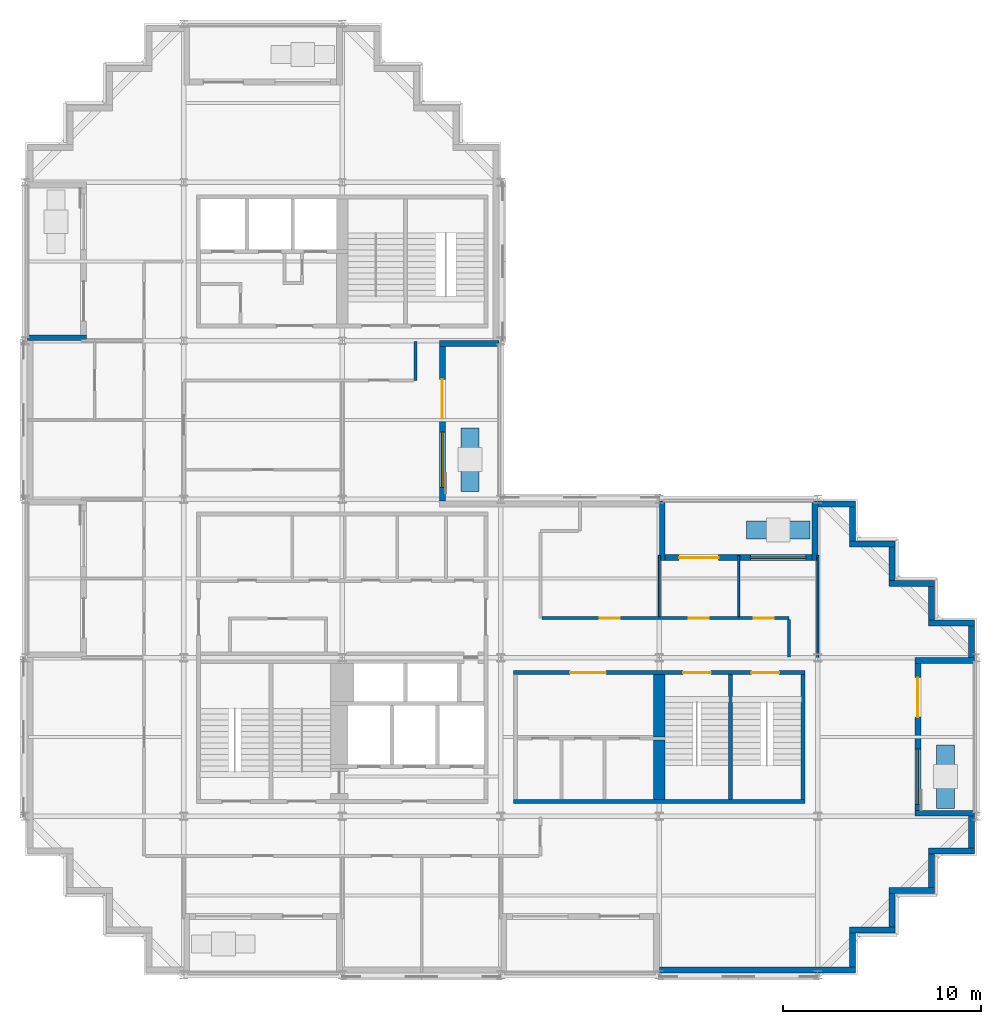
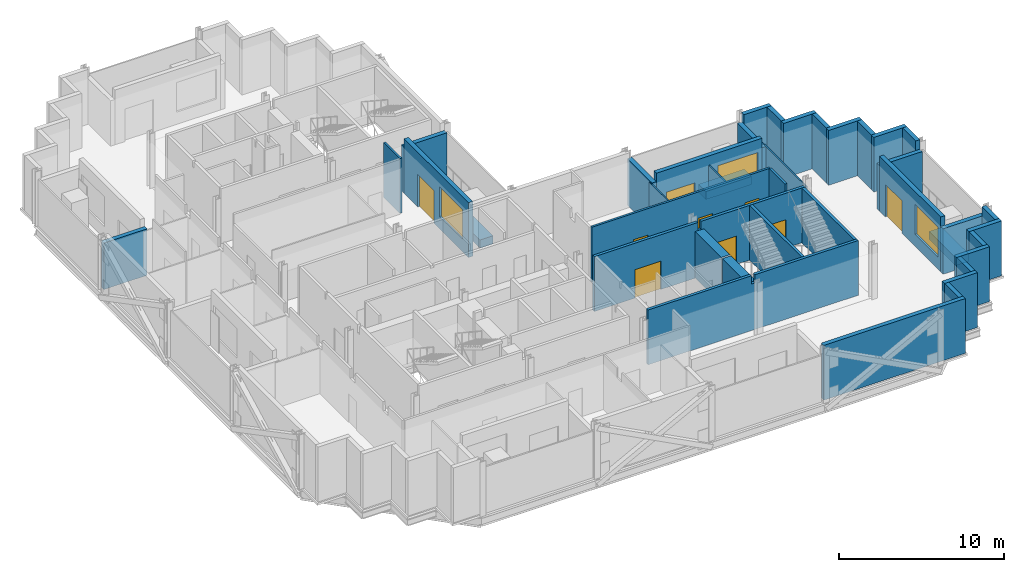
# One storey, part 7 of 12: 40 walls, 9 doors, 3 windows, 12 openings.
"""IFC4 building model written with IfcOpenShell, lengths in metres."""

from ifc_helpers import new_model, si_unit, direction, frame, frame_2d, origin, place, context, subcontext, project, spatial, polyline, rectangle, outline, extrude, material, layer, layer_set, type_object, element, fill, save


model = new_model("IFC4")

# Units and contexts
model_context = context("Model", 3, precision=1e-05, world=origin(), true_north=direction((0.0, 1.0)))
body_context = subcontext(model_context, "Body", "Model", "MODEL_VIEW")
ifc_project = project(units=[si_unit("LENGTHUNIT", "METRE"), si_unit("AREAUNIT", "SQUARE_METRE"), si_unit("VOLUMEUNIT", "CUBIC_METRE"), si_unit("PLANEANGLEUNIT", "RADIAN"), si_unit("MASSUNIT", "GRAM", prefix="KILO")], contexts=[model_context])

# Site, building, storey
site_placement = place(None, origin())
site = spatial("IfcSite", under=ifc_project, at=site_placement, CompositionType="ELEMENT")
building_placement = place(site_placement, origin())
building = spatial("IfcBuilding", under=site, at=building_placement, Name="Immortelle Media Tower", CompositionType="ELEMENT")
storey_placement = place(building_placement, frame((0.0, 0.0, 153.60009765625)))
storey = spatial("IfcBuildingStorey", under=building, at=storey_placement, Name="L31", CompositionType="ELEMENT", Elevation=153.60009765625)

# Wall
ifc_material_1 = material(Name="Fire-rated gypsum board", Category="gypsum")
ifc_layer_1 = layer(ifc_material_1, 0.012451171875)
ifc_material_2 = material(Name="Steel ASTM A653 SS Gr 50 stud frame with mineral wool", Category="steel")
ifc_layer_2 = layer(ifc_material_2, 0.125)
ifc_layer_3 = layer(ifc_material_1, 0.012451171875)
ifc_layer_set_1 = layer_set([ifc_layer_1, ifc_layer_2, ifc_layer_3], Name="Steel ASTM A653 SS Gr 50 stud frame with mineral wool")
wall_type_1 = type_object("IfcWallType", Name="Corridor wall 150", PredefinedType="PARTITIONING", material=ifc_layer_set_1)
wall_1_placement = place(storey_placement, frame((38.550048828125, 16.030029296875, 0.0), z_axis=(0.0, 0.0, 1.0), x_axis=(0.0, 1.0, 0.0)))
element("IfcWall", 1, at=wall_1_placement, inside=storey, type_object=wall_type_1, Name="Partition L31-009", PredefinedType="PARTITIONING", context=body_context, shape_type="SweptSolid", body=[
    extrude(rectangle(XDim=1.89501953125, YDim=0.14990234375, at=frame_2d((0.947509765625, 0.0))), origin(), (0.0, 0.0, 1.0), 4.0498046875),
])

# Wall, openings, doors
wall_2_placement = place(storey_placement, frame((26.074951171875, 18.0, 0.0), z_axis=(0.0, 0.0, 1.0), x_axis=(1.0, 0.0, 0.0)))
wall_2 = element("IfcWall", 2, at=wall_2_placement, inside=storey, type_object=wall_type_1, Name="Partition L31-011", PredefinedType="PARTITIONING", context=body_context, shape_type="SweptSolid", body=[
    extrude(rectangle(XDim=12.47509765625, YDim=0.14990234375, at=frame_2d((6.237548828125, 0.0))), origin(), (0.0, 0.0, 1.0), 4.0498046875),
])
opening_1_placement = place(wall_2_placement, frame((7.425048828125, 0.0, 0.0)))
opening_1 = element("IfcOpeningElement", 3, at=opening_1_placement, cuts=wall_2, Name="Opening C3-F006", PredefinedType="OPENING", context=body_context, shape_type="SweptSolid", body=[
    extrude(rectangle(XDim=1.0, YDim=2.10009765625, at=frame_2d((0.5, 1.050048828125))), frame((0.0, 0.0849609375, 0.0), z_axis=(0.0, -1.0, 0.0), x_axis=(1.0, 0.0, 0.0)), (0.0, 0.0, 1.0), 0.169921875),
])
opening_2_placement = place(wall_2_placement, frame((10.699951171875, 0.0, 0.0)))
opening_2 = element("IfcOpeningElement", 4, at=opening_2_placement, cuts=wall_2, Name="Opening C3-F007", PredefinedType="OPENING", context=body_context, shape_type="SweptSolid", body=[
    extrude(rectangle(XDim=1.0, YDim=2.10009765625, at=frame_2d((0.5, 1.050048828125))), frame((0.0, 0.0849609375, 0.0), z_axis=(0.0, -1.0, 0.0), x_axis=(1.0, 0.0, 0.0)), (0.0, 0.0, 1.0), 0.169921875),
])
opening_3_placement = place(wall_2_placement, frame((2.925048828125, 0.0, 0.0)))
opening_3 = element("IfcOpeningElement", 5, at=opening_3_placement, cuts=wall_2, Name="Opening C3-F010", PredefinedType="OPENING", context=body_context, shape_type="SweptSolid", body=[
    extrude(rectangle(XDim=1.0, YDim=2.10009765625, at=frame_2d((0.5, 1.050048828125))), frame((0.0, 0.0849609375, 0.0), z_axis=(0.0, -1.0, 0.0), x_axis=(1.0, 0.0, 0.0)), (0.0, 0.0, 1.0), 0.169921875),
])
ifc_material_3 = material(Name="Timber veneered door leaf, galvanised steel frame ASTM A653", Category="steel")
door_type_1 = type_object("IfcDoorType", Name="Room door 1000 x 2100", OperationType="NOTDEFINED", PredefinedType="DOOR", material=ifc_material_3)
door_1_placement = place(opening_1_placement, origin())
door_1 = element("IfcDoor", 6, at=door_1_placement, inside=storey, type_object=door_type_1, Name="Door C3-F006", OperationType="SINGLE_SWING_LEFT", OverallHeight=2.10009765625, OverallWidth=1.0, PredefinedType="DOOR", context=body_context, shape_type="SweptSolid", body=[
    extrude(rectangle(XDim=1.0, YDim=2.10009765625, at=frame_2d((0.5, 1.050048828125))), frame((0.0, 0.02490234375, 0.0), z_axis=(0.0, -1.0, 0.0), x_axis=(1.0, 0.0, 0.0)), (0.0, 0.0, 1.0), 0.050048828125),
])
fill(opening_1, door_1)
door_2_placement = place(opening_2_placement, origin())
door_2 = element("IfcDoor", 7, at=door_2_placement, inside=storey, type_object=door_type_1, Name="Door C3-F007", OperationType="SINGLE_SWING_LEFT", OverallHeight=2.10009765625, OverallWidth=1.0, PredefinedType="DOOR", context=body_context, shape_type="SweptSolid", body=[
    extrude(rectangle(XDim=1.0, YDim=2.10009765625, at=frame_2d((0.5, 1.050048828125))), frame((0.0, 0.02490234375, 0.0), z_axis=(0.0, -1.0, 0.0), x_axis=(1.0, 0.0, 0.0)), (0.0, 0.0, 1.0), 0.050048828125),
])
fill(opening_2, door_2)
door_3_placement = place(opening_3_placement, origin())
door_3 = element("IfcDoor", 8, at=door_3_placement, inside=storey, type_object=door_type_1, Name="Door C3-F010", OperationType="SINGLE_SWING_RIGHT", OverallHeight=2.10009765625, OverallWidth=1.0, PredefinedType="DOOR", context=body_context, shape_type="SweptSolid", body=[
    extrude(rectangle(XDim=1.0, YDim=2.10009765625, at=frame_2d((0.5, 1.050048828125))), frame((0.0, 0.02490234375, 0.0), z_axis=(0.0, -1.0, 0.0), x_axis=(1.0, 0.0, 0.0)), (0.0, 0.0, 1.0), 0.050048828125),
])
fill(opening_3, door_3)

# Walls
wall_3_placement = place(storey_placement, frame((19.699951171875, 30.0, 0.0), z_axis=(0.0, 0.0, 1.0), x_axis=(0.0, 1.0, 0.0)))
element("IfcWall", 9, at=wall_3_placement, inside=storey, type_object=wall_type_1, Name="Partition L31-027", PredefinedType="PARTITIONING", context=body_context, shape_type="SweptSolid", body=[
    extrude(rectangle(XDim=1.969970703125, YDim=0.14990234375, at=frame_2d((0.98486328125, 0.0))), origin(), (0.0, 0.0, 1.0), 4.0498046875),
])
ifc_material_4 = material(Name="Pale aluminium cladding panel", Category="aluminium")
ifc_layer_4 = layer(ifc_material_4, 0.030029296875)
ifc_layer_5 = layer(ifc_material_2, 0.257568359375)
ifc_material_5 = material(Name="Moisture-resistant gypsum board", Category="gypsum")
ifc_layer_6 = layer(ifc_material_5, 0.012451171875)
ifc_layer_set_2 = layer_set([ifc_layer_4, ifc_layer_5, ifc_layer_6], Name="Steel ASTM A653 SS Gr 50 stud frame with mineral wool")
wall_type_2 = type_object("IfcWallType", Name="Facade wall 300", PredefinedType="SOLIDWALL", material=ifc_layer_set_2)
wall_4_placement = place(storey_placement, frame((32.0, 0.25, 0.0), z_axis=(0.0, 0.0, 1.0), x_axis=(1.0, 0.0, 0.0)))
element("IfcWall", 10, at=wall_4_placement, inside=storey, type_object=wall_type_2, Name="Facade wall L31 S6", PredefinedType="SOLIDWALL", context=body_context, shape_type="SweptSolid", body=[
    extrude(rectangle(XDim=9.89990234375, YDim=0.300048828125, at=frame_2d((4.949951171875, 0.0))), origin(), (0.0, 0.0, 1.0), 4.0498046875),
])
wall_5_placement = place(storey_placement, frame((41.75, 0.39990234375, 0.0), z_axis=(0.0, 0.0, 1.0), x_axis=(0.0, 1.0, 0.0)))
element("IfcWall", 11, at=wall_5_placement, inside=storey, type_object=wall_type_2, Name="Facade wall L31 E7", PredefinedType="SOLIDWALL", context=body_context, shape_type="SweptSolid", body=[
    extrude(rectangle(XDim=1.7001953125, YDim=0.300048828125, at=frame_2d((0.85009765625, 0.0))), origin(), (0.0, 0.0, 1.0), 4.0498046875),
])
wall_6_placement = place(storey_placement, frame((41.60009765625, 2.25, 0.0), z_axis=(0.0, 0.0, 1.0), x_axis=(1.0, 0.0, 0.0)))
element("IfcWall", 12, at=wall_6_placement, inside=storey, type_object=wall_type_2, Name="Facade wall L31 S8", PredefinedType="SOLIDWALL", context=body_context, shape_type="SweptSolid", body=[
    extrude(rectangle(XDim=2.2998046875, YDim=0.300048828125, at=frame_2d((1.14990234375, 0.0))), origin(), (0.0, 0.0, 1.0), 4.0498046875),
])
wall_7_placement = place(storey_placement, frame((43.75, 2.39990234375, 0.0), z_axis=(0.0, 0.0, 1.0), x_axis=(0.0, 1.0, 0.0)))
element("IfcWall", 13, at=wall_7_placement, inside=storey, type_object=wall_type_2, Name="Facade wall L31 E9", PredefinedType="SOLIDWALL", context=body_context, shape_type="SweptSolid", body=[
    extrude(rectangle(XDim=1.7001953125, YDim=0.300048828125, at=frame_2d((0.85009765625, 0.0))), origin(), (0.0, 0.0, 1.0), 4.0498046875),
])
wall_8_placement = place(storey_placement, frame((43.60009765625, 4.25, 0.0), z_axis=(0.0, 0.0, 1.0), x_axis=(1.0, 0.0, 0.0)))
element("IfcWall", 14, at=wall_8_placement, inside=storey, type_object=wall_type_2, Name="Facade wall L31 S10", PredefinedType="SOLIDWALL", context=body_context, shape_type="SweptSolid", body=[
    extrude(rectangle(XDim=2.2998046875, YDim=0.300048828125, at=frame_2d((1.14990234375, 0.0))), origin(), (0.0, 0.0, 1.0), 4.0498046875),
])
wall_9_placement = place(storey_placement, frame((45.75, 4.39990234375, 0.0), z_axis=(0.0, 0.0, 1.0), x_axis=(0.0, 1.0, 0.0)))
element("IfcWall", 15, at=wall_9_placement, inside=storey, type_object=wall_type_2, Name="Facade wall L31 E11", PredefinedType="SOLIDWALL", context=body_context, shape_type="SweptSolid", body=[
    extrude(rectangle(XDim=1.7001953125, YDim=0.300048828125, at=frame_2d((0.85009765625, 0.0))), origin(), (0.0, 0.0, 1.0), 4.0498046875),
])
wall_10_placement = place(storey_placement, frame((45.60009765625, 6.25, 0.0), z_axis=(0.0, 0.0, 1.0), x_axis=(1.0, 0.0, 0.0)))
element("IfcWall", 16, at=wall_10_placement, inside=storey, type_object=wall_type_2, Name="Facade wall L31 S12", PredefinedType="SOLIDWALL", context=body_context, shape_type="SweptSolid", body=[
    extrude(rectangle(XDim=2.2998046875, YDim=0.300048828125, at=frame_2d((1.14990234375, 0.0))), origin(), (0.0, 0.0, 1.0), 4.0498046875),
])
wall_11_placement = place(storey_placement, frame((47.75, 6.39990234375, 0.0), z_axis=(0.0, 0.0, 1.0), x_axis=(0.0, 1.0, 0.0)))
element("IfcWall", 17, at=wall_11_placement, inside=storey, type_object=wall_type_2, Name="Facade wall L31 E13", PredefinedType="SOLIDWALL", context=body_context, shape_type="SweptSolid", body=[
    extrude(rectangle(XDim=1.60009765625, YDim=0.300048828125, at=frame_2d((0.800048828125, 0.0))), origin(), (0.0, 0.0, 1.0), 4.0498046875),
])

# Wall, openings, door, window
wall_12_placement = place(storey_placement, frame((45.050048828125, 8.300048828125, 0.0), z_axis=(0.0, 0.0, 1.0), x_axis=(0.0, 1.0, 0.0)))
wall_12 = element("IfcWall", 18, at=wall_12_placement, inside=storey, type_object=wall_type_2, Name="Loggia wall L31 E13", PredefinedType="SOLIDWALL", context=body_context, shape_type="SweptSolid", body=[
    extrude(rectangle(XDim=7.39990234375, YDim=0.300048828125, at=frame_2d((3.699951171875, 0.0))), origin(), (0.0, 0.0, 1.0), 4.0498046875),
])
opening_4_placement = place(wall_12_placement, frame((0.300048828125, 0.0, 0.89990234375)))
opening_4 = element("IfcOpeningElement", 19, at=opening_4_placement, cuts=wall_12, Name="Opening W1", PredefinedType="OPENING", context=body_context, shape_type="SweptSolid", body=[
    extrude(rectangle(XDim=2.800048828125, YDim=2.199951171875, at=frame_2d((1.39990234375, 1.10009765625))), frame((0.0, 0.159912109375, 0.0), z_axis=(0.0, -1.0, 0.0), x_axis=(1.0, 0.0, 0.0)), (0.0, 0.0, 1.0), 0.320068359375),
])
opening_5_placement = place(wall_12_placement, frame((4.699951171875, 0.0, 0.0)))
opening_5 = element("IfcOpeningElement", 20, at=opening_5_placement, cuts=wall_12, Name="Opening C3-E003", PredefinedType="OPENING", context=body_context, shape_type="SweptSolid", body=[
    extrude(rectangle(XDim=2.0, YDim=2.39990234375, at=frame_2d((1.0, 1.199951171875))), frame((0.0, 0.159912109375, 0.0), z_axis=(0.0, -1.0, 0.0), x_axis=(1.0, 0.0, 0.0)), (0.0, 0.0, 1.0), 0.320068359375),
])
ifc_material_6 = material(Name="Aluminium frame, glazed leaves", Category="aluminium")
door_type_2 = type_object("IfcDoorType", Name="Loggia door 2000 x 2400", OperationType="DOUBLE_DOOR_SINGLE_SWING", PredefinedType="DOOR", material=ifc_material_6)
door_4_placement = place(opening_5_placement, origin())
door_4 = element("IfcDoor", 21, at=door_4_placement, inside=storey, type_object=door_type_2, Name="Door C3-E003", OperationType="DOUBLE_DOOR_SINGLE_SWING", OverallHeight=2.39990234375, OverallWidth=2.0, PredefinedType="DOOR", context=body_context, shape_type="SweptSolid", body=[
    extrude(rectangle(XDim=2.0, YDim=2.39990234375, at=frame_2d((1.0, 1.199951171875))), frame((0.0, 0.02490234375, 0.0), z_axis=(0.0, -1.0, 0.0), x_axis=(1.0, 0.0, 0.0)), (0.0, 0.0, 1.0), 0.050048828125),
])
fill(opening_5, door_4)
ifc_material_7 = material(Name="Aluminium frame", Category="aluminium")
window_type = type_object("IfcWindowType", Name="Window 2800 x 2200", PartitioningType="SINGLE_PANEL", PredefinedType="WINDOW", material=ifc_material_7)
window_1_placement = place(opening_4_placement, origin())
window_1 = element("IfcWindow", 22, at=window_1_placement, inside=storey, type_object=window_type, Name="Window L31 L31-R13-B0", OverallHeight=2.199951171875, OverallWidth=2.800048828125, PartitioningType="SINGLE_PANEL", PredefinedType="WINDOW", context=body_context, shape_type="SweptSolid", body=[
    extrude(rectangle(XDim=2.800048828125, YDim=2.199951171875, at=frame_2d((1.39990234375, 1.10009765625))), frame((0.0, 0.030029296875, 0.0), z_axis=(0.0, -1.0, 0.0), x_axis=(1.0, 0.0, 0.0)), (0.0, 0.0, 1.0), 0.06005859375),
])
fill(opening_4, window_1)

# Walls
for number, where, z_axis, x_axis, name in (
    (23, (47.89990234375, 8.14990234375, 0.0), (0.0, 0.0, 1.0), (-1.0, 0.0, 0.0), "Loggia cheek wall L31 E"),
    (24, (47.89990234375, 15.85009765625, 0.0), (0.0, 0.0, 1.0), (-1.0, 0.0, 0.0), "Loggia cheek wall L31 E"),
):
    element("IfcWall", number, at=place(storey_placement, frame(where, z_axis=z_axis, x_axis=x_axis)), inside=storey, type_object=wall_type_2, Name=name, PredefinedType="SOLIDWALL", context=body_context, shape_type="SweptSolid", body=[
        extrude(rectangle(XDim=3.0, YDim=0.300048828125, at=frame_2d((1.5, 0.0))), origin(), (0.0, 0.0, 1.0), 3.352783203125),
    ])
wall_13_placement = place(storey_placement, frame((47.75, 16.0, 0.0), z_axis=(0.0, 0.0, 1.0), x_axis=(0.0, 1.0, 0.0)))
element("IfcWall", 25, at=wall_13_placement, inside=storey, type_object=wall_type_2, Name="Facade wall L31 E13", PredefinedType="SOLIDWALL", context=body_context, shape_type="SweptSolid", body=[
    extrude(rectangle(XDim=1.60009765625, YDim=0.300048828125, at=frame_2d((0.800048828125, 0.0))), origin(), (0.0, 0.0, 1.0), 4.0498046875),
])
wall_14_placement = place(storey_placement, frame((47.89990234375, 17.75, 0.0), z_axis=(0.0, 0.0, 1.0), x_axis=(-1.0, 0.0, 0.0)))
element("IfcWall", 26, at=wall_14_placement, inside=storey, type_object=wall_type_2, Name="Facade wall L31 N14", PredefinedType="SOLIDWALL", context=body_context, shape_type="SweptSolid", body=[
    extrude(rectangle(XDim=2.2998046875, YDim=0.300048828125, at=frame_2d((1.14990234375, 0.0))), origin(), (0.0, 0.0, 1.0), 4.0498046875),
])
wall_15_placement = place(storey_placement, frame((45.75, 17.89990234375, 0.0), z_axis=(0.0, 0.0, 1.0), x_axis=(0.0, 1.0, 0.0)))
element("IfcWall", 27, at=wall_15_placement, inside=storey, type_object=wall_type_2, Name="Facade wall L31 E15", PredefinedType="SOLIDWALL", context=body_context, shape_type="SweptSolid", body=[
    extrude(rectangle(XDim=1.7001953125, YDim=0.300048828125, at=frame_2d((0.85009765625, 0.0))), origin(), (0.0, 0.0, 1.0), 4.0498046875),
])
wall_16_placement = place(storey_placement, frame((45.89990234375, 19.75, 0.0), z_axis=(0.0, 0.0, 1.0), x_axis=(-1.0, 0.0, 0.0)))
element("IfcWall", 28, at=wall_16_placement, inside=storey, type_object=wall_type_2, Name="Facade wall L31 N16", PredefinedType="SOLIDWALL", context=body_context, shape_type="SweptSolid", body=[
    extrude(rectangle(XDim=2.2998046875, YDim=0.300048828125, at=frame_2d((1.14990234375, 0.0))), origin(), (0.0, 0.0, 1.0), 4.0498046875),
])
wall_17_placement = place(storey_placement, frame((43.75, 19.89990234375, 0.0), z_axis=(0.0, 0.0, 1.0), x_axis=(0.0, 1.0, 0.0)))
element("IfcWall", 29, at=wall_17_placement, inside=storey, type_object=wall_type_2, Name="Facade wall L31 E17", PredefinedType="SOLIDWALL", context=body_context, shape_type="SweptSolid", body=[
    extrude(rectangle(XDim=1.7001953125, YDim=0.300048828125, at=frame_2d((0.85009765625, 0.0))), origin(), (0.0, 0.0, 1.0), 4.0498046875),
])
wall_18_placement = place(storey_placement, frame((43.89990234375, 21.75, 0.0), z_axis=(0.0, 0.0, 1.0), x_axis=(-1.0, 0.0, 0.0)))
element("IfcWall", 30, at=wall_18_placement, inside=storey, type_object=wall_type_2, Name="Facade wall L31 N18", PredefinedType="SOLIDWALL", context=body_context, shape_type="SweptSolid", body=[
    extrude(rectangle(XDim=2.2998046875, YDim=0.300048828125, at=frame_2d((1.14990234375, 0.0))), origin(), (0.0, 0.0, 1.0), 4.0498046875),
])
wall_19_placement = place(storey_placement, frame((41.75, 21.89990234375, 0.0), z_axis=(0.0, 0.0, 1.0), x_axis=(0.0, 1.0, 0.0)))
element("IfcWall", 31, at=wall_19_placement, inside=storey, type_object=wall_type_2, Name="Facade wall L31 E19", PredefinedType="SOLIDWALL", context=body_context, shape_type="SweptSolid", body=[
    extrude(rectangle(XDim=1.7001953125, YDim=0.300048828125, at=frame_2d((0.85009765625, 0.0))), origin(), (0.0, 0.0, 1.0), 4.0498046875),
])
wall_20_placement = place(storey_placement, frame((41.89990234375, 23.75, 0.0), z_axis=(0.0, 0.0, 1.0), x_axis=(-1.0, 0.0, 0.0)))
element("IfcWall", 32, at=wall_20_placement, inside=storey, type_object=wall_type_2, Name="Facade wall L31 N20", PredefinedType="SOLIDWALL", context=body_context, shape_type="SweptSolid", body=[
    extrude(rectangle(XDim=1.89990234375, YDim=0.300048828125, at=frame_2d((0.949951171875, 0.0))), origin(), (0.0, 0.0, 1.0), 4.0498046875),
])

# Wall, openings, door, window
wall_21_placement = place(storey_placement, frame((39.699951171875, 21.050048828125, 0.0), z_axis=(0.0, 0.0, 1.0), x_axis=(-1.0, 0.0, 0.0)))
wall_21 = element("IfcWall", 33, at=wall_21_placement, inside=storey, type_object=wall_type_2, Name="Loggia wall L31 N20", PredefinedType="SOLIDWALL", context=body_context, shape_type="SweptSolid", body=[
    extrude(rectangle(XDim=7.39990234375, YDim=0.300048828125, at=frame_2d((3.699951171875, 0.0))), origin(), (0.0, 0.0, 1.0), 4.0498046875),
])
opening_6_placement = place(wall_21_placement, frame((0.300048828125, 0.0, 0.89990234375)))
opening_6 = element("IfcOpeningElement", 34, at=opening_6_placement, cuts=wall_21, Name="Opening W1", PredefinedType="OPENING", context=body_context, shape_type="SweptSolid", body=[
    extrude(rectangle(XDim=2.800048828125, YDim=2.199951171875, at=frame_2d((1.39990234375, 1.10009765625))), frame((0.0, 0.159912109375, 0.0), z_axis=(0.0, -1.0, 0.0), x_axis=(1.0, 0.0, 0.0)), (0.0, 0.0, 1.0), 0.320068359375),
])
opening_7_placement = place(wall_21_placement, frame((4.699951171875, 0.0, 0.0)))
opening_7 = element("IfcOpeningElement", 35, at=opening_7_placement, cuts=wall_21, Name="Opening C3-E004", PredefinedType="OPENING", context=body_context, shape_type="SweptSolid", body=[
    extrude(rectangle(XDim=2.0, YDim=2.39990234375, at=frame_2d((1.0, 1.199951171875))), frame((0.0, 0.159912109375, 0.0), z_axis=(0.0, -1.0, 0.0), x_axis=(1.0, 0.0, 0.0)), (0.0, 0.0, 1.0), 0.320068359375),
])
door_5_placement = place(opening_7_placement, origin())
door_5 = element("IfcDoor", 36, at=door_5_placement, inside=storey, type_object=door_type_2, Name="Door C3-E004", OperationType="DOUBLE_DOOR_SINGLE_SWING", OverallHeight=2.39990234375, OverallWidth=2.0, PredefinedType="DOOR", context=body_context, shape_type="SweptSolid", body=[
    extrude(rectangle(XDim=2.0, YDim=2.39990234375, at=frame_2d((1.0, 1.199951171875))), frame((0.0, 0.02490234375, 0.0), z_axis=(0.0, -1.0, 0.0), x_axis=(1.0, 0.0, 0.0)), (0.0, 0.0, 1.0), 0.050048828125),
])
fill(opening_7, door_5)
window_2_placement = place(opening_6_placement, origin())
window_2 = element("IfcWindow", 37, at=window_2_placement, inside=storey, type_object=window_type, Name="Window L31 L31-R20-B0", OverallHeight=2.199951171875, OverallWidth=2.800048828125, PartitioningType="SINGLE_PANEL", PredefinedType="WINDOW", context=body_context, shape_type="SweptSolid", body=[
    extrude(rectangle(XDim=2.800048828125, YDim=2.199951171875, at=frame_2d((1.39990234375, 1.10009765625))), frame((0.0, 0.030029296875, 0.0), z_axis=(0.0, -1.0, 0.0), x_axis=(1.0, 0.0, 0.0)), (0.0, 0.0, 1.0), 0.06005859375),
])
fill(opening_6, window_2)

# Walls
wall_22_placement = place(storey_placement, frame((39.85009765625, 23.89990234375, 0.0), z_axis=(0.0, 0.0, 1.0), x_axis=(0.0, -1.0, 0.0)))
element("IfcWall", 38, at=wall_22_placement, inside=storey, type_object=wall_type_2, Name="Loggia cheek wall L31 N", PredefinedType="SOLIDWALL", context=body_context, shape_type="SweptSolid", body=[
    extrude(rectangle(XDim=3.0, YDim=0.300048828125, at=frame_2d((1.5, 0.0))), origin(), (0.0, 0.0, 1.0), 3.352783203125),
])
wall_23_placement = place(storey_placement, frame((32.14990234375, 23.89990234375, 0.0), z_axis=(0.0, 0.0, 1.0), x_axis=(0.0, -1.0, 0.0)))
element("IfcWall", 39, at=wall_23_placement, inside=storey, type_object=wall_type_2, Name="Loggia cheek wall L31 N", PredefinedType="SOLIDWALL", context=body_context, shape_type="SweptSolid", body=[
    extrude(rectangle(XDim=3.0, YDim=0.300048828125, at=frame_2d((1.5, 0.0))), origin(), (0.0, 0.0, 1.0), 3.43701171875),
])

# Wall, openings, door, window
wall_24_placement = place(storey_placement, frame((21.050048828125, 23.89990234375, 0.0), z_axis=(0.0, 0.0, 1.0), x_axis=(0.0, 1.0, 0.0)))
wall_24 = element("IfcWall", 40, at=wall_24_placement, inside=storey, type_object=wall_type_2, Name="Loggia wall L31 E21", PredefinedType="SOLIDWALL", context=body_context, shape_type="SweptSolid", body=[
    extrude(rectangle(XDim=7.800048828125, YDim=0.300048828125, at=frame_2d((3.89990234375, 0.0))), origin(), (0.0, 0.0, 1.0), 4.0498046875),
])
opening_8_placement = place(wall_24_placement, frame((0.699951171875, 0.0, 0.89990234375)))
opening_8 = element("IfcOpeningElement", 41, at=opening_8_placement, cuts=wall_24, Name="Opening W1", PredefinedType="OPENING", context=body_context, shape_type="SweptSolid", body=[
    extrude(rectangle(XDim=2.800048828125, YDim=2.199951171875, at=frame_2d((1.39990234375, 1.10009765625))), frame((0.0, 0.159912109375, 0.0), z_axis=(0.0, -1.0, 0.0), x_axis=(1.0, 0.0, 0.0)), (0.0, 0.0, 1.0), 0.320068359375),
])
opening_9_placement = place(wall_24_placement, frame((4.14990234375, 0.0, 0.0)))
opening_9 = element("IfcOpeningElement", 42, at=opening_9_placement, cuts=wall_24, Name="Opening C3-E005", PredefinedType="OPENING", context=body_context, shape_type="SweptSolid", body=[
    extrude(rectangle(XDim=2.0, YDim=2.39990234375, at=frame_2d((1.0, 1.199951171875))), frame((0.0, 0.159912109375, 0.0), z_axis=(0.0, -1.0, 0.0), x_axis=(1.0, 0.0, 0.0)), (0.0, 0.0, 1.0), 0.320068359375),
])
door_6_placement = place(opening_9_placement, origin())
door_6 = element("IfcDoor", 43, at=door_6_placement, inside=storey, type_object=door_type_2, Name="Door C3-E005", OperationType="DOUBLE_DOOR_SINGLE_SWING", OverallHeight=2.39990234375, OverallWidth=2.0, PredefinedType="DOOR", context=body_context, shape_type="SweptSolid", body=[
    extrude(rectangle(XDim=2.0, YDim=2.39990234375, at=frame_2d((1.0, 1.199951171875))), frame((0.0, 0.02490234375, 0.0), z_axis=(0.0, -1.0, 0.0), x_axis=(1.0, 0.0, 0.0)), (0.0, 0.0, 1.0), 0.050048828125),
])
fill(opening_9, door_6)
window_3_placement = place(opening_8_placement, origin())
window_3 = element("IfcWindow", 44, at=window_3_placement, inside=storey, type_object=window_type, Name="Window L31 L31-R21-B0", OverallHeight=2.199951171875, OverallWidth=2.800048828125, PartitioningType="SINGLE_PANEL", PredefinedType="WINDOW", context=body_context, shape_type="SweptSolid", body=[
    extrude(rectangle(XDim=2.800048828125, YDim=2.199951171875, at=frame_2d((1.39990234375, 1.10009765625))), frame((0.0, 0.030029296875, 0.0), z_axis=(0.0, -1.0, 0.0), x_axis=(1.0, 0.0, 0.0)), (0.0, 0.0, 1.0), 0.06005859375),
])
fill(opening_8, window_3)

# Walls
for number, where, z_axis, x_axis, name in (
    (45, (23.89990234375, 31.85009765625, 0.0), (0.0, 0.0, 1.0), (-1.0, 0.0, 0.0), "Loggia cheek wall L31 E"),
    (46, (0.10009765625, 32.14990234375, 0.0), (0.0, 0.0, 1.0), (1.0, 0.0, 0.0), "Loggia cheek wall L31 W"),
):
    element("IfcWall", number, at=place(storey_placement, frame(where, z_axis=z_axis, x_axis=x_axis)), inside=storey, type_object=wall_type_2, Name=name, PredefinedType="SOLIDWALL", context=body_context, shape_type="SweptSolid", body=[
        extrude(rectangle(XDim=3.0, YDim=0.300048828125, at=frame_2d((1.5, 0.0))), origin(), (0.0, 0.0, 1.0), 3.43701171875),
    ])
ifc_material_8 = material(Name="Gypsum board", Category="gypsum")
ifc_layer_7 = layer(ifc_material_8, 0.012451171875)
ifc_layer_8 = layer(ifc_material_2, 0.074951171875)
ifc_layer_9 = layer(ifc_material_8, 0.012451171875)
ifc_layer_set_3 = layer_set([ifc_layer_7, ifc_layer_8, ifc_layer_9], Name="Steel ASTM A653 SS Gr 50 stud frame with mineral wool")
wall_type_3 = type_object("IfcWallType", Name="Partition 100", PredefinedType="PARTITIONING", material=ifc_layer_set_3)
wall_25_placement = place(storey_placement, frame((40.0, 16.030029296875, 0.0), z_axis=(0.0, 0.0, 1.0), x_axis=(0.0, 1.0, 0.0)))
element("IfcWall", 47, at=wall_25_placement, inside=storey, type_object=wall_type_3, Name="Partition L31-010", PredefinedType="PARTITIONING", context=body_context, shape_type="SweptSolid", body=[
    extrude(rectangle(XDim=5.139892578125, YDim=0.10009765625, at=frame_2d((2.56982421875, 0.0))), origin(), (0.0, 0.0, 1.0), 3.35400390625),
])
for number, where, z_axis, x_axis, name in (
    (48, (32.0, 18.074951171875, 0.0), (0.0, 0.0, 1.0), (0.0, 1.0, 0.0), "Partition L31-013"),
    (49, (36.0, 18.074951171875, 0.0), (0.0, 0.0, 1.0), (0.0, 1.0, 0.0), "Partition L31-014"),
):
    element("IfcWall", number, at=place(storey_placement, frame(where, z_axis=z_axis, x_axis=x_axis)), inside=storey, type_object=wall_type_3, Name=name, PredefinedType="PARTITIONING", context=body_context, shape_type="SweptSolid", body=[
        extrude(rectangle(XDim=3.094970703125, YDim=0.10009765625, at=frame_2d((1.54736328125, 0.0))), origin(), (0.0, 0.0, 1.0), 3.35400390625),
    ])
ifc_layer_10 = layer(ifc_material_4, 0.0029296875)
ifc_material_9 = material(Name="Steel ASTM A572 Gr 50 planter shell", Category="steel")
ifc_layer_11 = layer(ifc_material_9, 0.011962890625)
ifc_material_10 = material(Name="Planting substrate", Category="soil")
ifc_layer_12 = layer(ifc_material_10, 0.873046875)
ifc_layer_13 = layer(ifc_material_9, 0.011962890625)
ifc_layer_set_4 = layer_set([ifc_layer_10, ifc_layer_11, ifc_layer_12, ifc_layer_13], Name="Steel ASTM A572 Gr 50 planter shell")
wall_type_4 = type_object("IfcWallType", Name="Planter wall 900", PredefinedType="SOLIDWALL", material=ifc_layer_set_4)
for number, where, z_axis, x_axis, name in (
    (50, (46.449951171875, 8.39990234375, 0.0), (0.0, 0.0, 1.0), (0.0, 1.0, 0.0), "Planter L31 E0"),
    (51, (39.60009765625, 22.449951171875, 0.0), (0.0, 0.0, 1.0), (-1.0, 0.0, 0.0), "Planter L31 N0"),
    (52, (22.449951171875, 24.39990234375, 0.0), (0.0, 0.0, 1.0), (0.0, 1.0, 0.0), "Planter L31 E0"),
):
    element("IfcWall", number, at=place(storey_placement, frame(where, z_axis=z_axis, x_axis=x_axis)), inside=storey, type_object=wall_type_4, Name=name, PredefinedType="SOLIDWALL", context=body_context, shape_type="SweptSolid", body=[
        extrude(rectangle(XDim=3.2001953125, YDim=0.89990234375, at=frame_2d((1.60009765625, 0.0))), origin(), (0.0, 0.0, 1.0), 0.599853515625),
    ])
ifc_material_11 = material(Name="Concrete C60", Category="concrete")
ifc_layer_14 = layer(ifc_material_11, 0.199951171875)
ifc_layer_set_5 = layer_set([ifc_layer_14], Name="Concrete C60")
wall_type_5 = type_object("IfcWallType", Name="Stair shaft wall 200", PredefinedType="PARTITIONING", material=ifc_layer_set_5)
wall_26_placement = place(storey_placement, frame((24.64990234375, 8.75, 0.0), z_axis=(0.0, 0.0, 1.0), x_axis=(1.0, 0.0, 0.0)))
element("IfcWall", 53, at=wall_26_placement, inside=storey, type_object=wall_type_5, Name="Stair shaft wall SE", PredefinedType="PARTITIONING", context=body_context, shape_type="SweptSolid", body=[
    extrude(outline(polyline([(0.0, 0.0), (14.7001953125, 0.0), (14.699951171875, 4.0498046875), (7.468994140625, 4.0498046875), (7.468017578125, 3.44189453125), (7.23193359375, 3.44189453125), (7.23095703125, 4.0498046875), (0.0, 4.0498046875), (0.0, 0.0)])), frame((0.0, 0.10009765625, 0.0), z_axis=(0.0, -1.0, 0.0), x_axis=(1.0, 0.0, 0.0)), (0.0, 0.0, 1.0), 0.199951171875),
])

# Wall, openings, doors
wall_27_placement = place(storey_placement, frame((24.64990234375, 15.25, 0.0), z_axis=(0.0, 0.0, 1.0), x_axis=(1.0, 0.0, 0.0)))
wall_27 = element("IfcWall", 54, at=wall_27_placement, inside=storey, type_object=wall_type_5, Name="Stair shaft wall SE", PredefinedType="PARTITIONING", context=body_context, shape_type="SweptSolid", body=[
    extrude(outline(polyline([(0.0, 0.0), (14.7001953125, 0.0), (14.699951171875, 4.0498046875), (7.468994140625, 4.0498046875), (7.468017578125, 3.44189453125), (7.23193359375, 3.44189453125), (7.23095703125, 4.0498046875), (0.0, 4.0498046875), (0.0, 0.0)])), frame((0.0, 0.10009765625, 0.0), z_axis=(0.0, -1.0, 0.0), x_axis=(1.0, 0.0, 0.0)), (0.0, 0.0, 1.0), 0.199951171875),
])
opening_10_placement = place(wall_27_placement, frame((2.85009765625, 0.0, 0.0)))
opening_10 = element("IfcOpeningElement", 55, at=opening_10_placement, cuts=wall_27, Name="Opening C3-K019", PredefinedType="OPENING", context=body_context, shape_type="SweptSolid", body=[
    extrude(rectangle(XDim=1.800048828125, YDim=2.10009765625, at=frame_2d((0.89990234375, 1.050048828125))), frame((0.0, 0.10986328125, 0.0), z_axis=(0.0, -1.0, 0.0), x_axis=(1.0, 0.0, 0.0)), (0.0, 0.0, 1.0), 0.219970703125),
])
opening_11_placement = place(wall_27_placement, frame((9.949951171875, 0.0, 0.0), z_axis=(0.0, 0.0, 1.0), x_axis=(-1.0, 0.0, 0.0)))
opening_11 = element("IfcOpeningElement", 56, at=opening_11_placement, cuts=wall_27, Name="Opening C3-K021", PredefinedType="OPENING", context=body_context, shape_type="SweptSolid", body=[
    extrude(rectangle(XDim=1.39990234375, YDim=2.10009765625, at=frame_2d((0.699951171875, 1.050048828125))), frame((0.0, 0.10986328125, 0.0), z_axis=(0.0, -1.0, 0.0), x_axis=(1.0, 0.0, 0.0)), (0.0, 0.0, 1.0), 0.219970703125),
])
opening_12_placement = place(wall_27_placement, frame((13.39990234375, 0.0, 0.0), z_axis=(0.0, 0.0, 1.0), x_axis=(-1.0, 0.0, 0.0)))
opening_12 = element("IfcOpeningElement", 57, at=opening_12_placement, cuts=wall_27, Name="Opening C3-K022", PredefinedType="OPENING", context=body_context, shape_type="SweptSolid", body=[
    extrude(rectangle(XDim=1.39990234375, YDim=2.10009765625, at=frame_2d((0.699951171875, 1.050048828125))), frame((0.0, 0.10986328125, 0.0), z_axis=(0.0, -1.0, 0.0), x_axis=(1.0, 0.0, 0.0)), (0.0, 0.0, 1.0), 0.219970703125),
])
ifc_material_12 = material(Name="Galvanised steel door leaf and frame ASTM A653", Category="steel")
door_type_3 = type_object("IfcDoorType", Name="Lift lobby door 1800 x 2100", OperationType="DOUBLE_DOOR_SINGLE_SWING", PredefinedType="NOTDEFINED", material=ifc_material_12)
door_7_placement = place(opening_10_placement, origin())
door_7 = element("IfcDoor", 58, at=door_7_placement, inside=storey, type_object=door_type_3, Name="Lift lobby C3-K019", OperationType="DOUBLE_DOOR_SINGLE_SWING", OverallHeight=2.10009765625, OverallWidth=1.800048828125, PredefinedType="NOTDEFINED", context=body_context, shape_type="SweptSolid", body=[
    extrude(rectangle(XDim=1.800048828125, YDim=2.10009765625, at=frame_2d((0.89990234375, 1.050048828125))), frame((0.0, 0.02490234375, 0.0), z_axis=(0.0, -1.0, 0.0), x_axis=(1.0, 0.0, 0.0)), (0.0, 0.0, 1.0), 0.050048828125),
])
fill(opening_10, door_7)
door_type_4 = type_object("IfcDoorType", Name="Stair door 1400 x 2100", OperationType="DOUBLE_DOOR_SINGLE_SWING", PredefinedType="NOTDEFINED", material=ifc_material_12)
door_8_placement = place(opening_11_placement, origin())
door_8 = element("IfcDoor", 59, at=door_8_placement, inside=storey, type_object=door_type_4, Name="Stair C3-K021", OperationType="DOUBLE_DOOR_SINGLE_SWING", OverallHeight=2.10009765625, OverallWidth=1.39990234375, PredefinedType="NOTDEFINED", context=body_context, shape_type="SweptSolid", body=[
    extrude(rectangle(XDim=1.39990234375, YDim=2.10009765625, at=frame_2d((0.699951171875, 1.050048828125))), frame((0.0, 0.02490234375, 0.0), z_axis=(0.0, -1.0, 0.0), x_axis=(1.0, 0.0, 0.0)), (0.0, 0.0, 1.0), 0.050048828125),
])
fill(opening_11, door_8)
door_9_placement = place(opening_12_placement, origin())
door_9 = element("IfcDoor", 60, at=door_9_placement, inside=storey, type_object=door_type_4, Name="Stair C3-K022", OperationType="DOUBLE_DOOR_SINGLE_SWING", OverallHeight=2.10009765625, OverallWidth=1.39990234375, PredefinedType="NOTDEFINED", context=body_context, shape_type="SweptSolid", body=[
    extrude(rectangle(XDim=1.39990234375, YDim=2.10009765625, at=frame_2d((0.699951171875, 1.050048828125))), frame((0.0, 0.02490234375, 0.0), z_axis=(0.0, -1.0, 0.0), x_axis=(1.0, 0.0, 0.0)), (0.0, 0.0, 1.0), 0.050048828125),
])
fill(opening_12, door_9)

# Walls
for number, where, z_axis, x_axis, name in (
    (61, (35.60009765625, 8.85009765625, 0.0), (0.0, 0.0, 1.0), (0.0, 1.0, 0.0), "Stair shaft wall SE"),
    (62, (39.25, 8.85009765625, 0.0), (0.0, 0.0, 1.0), (0.0, 1.0, 0.0), "Stair shaft wall SE"),
):
    element("IfcWall", number, at=place(storey_placement, frame(where, z_axis=z_axis, x_axis=x_axis)), inside=storey, type_object=wall_type_5, Name=name, PredefinedType="PARTITIONING", context=body_context, shape_type="SweptSolid", body=[
        extrude(rectangle(XDim=6.2998046875, YDim=0.199951171875, at=frame_2d((3.14990234375, 0.0))), origin(), (0.0, 0.0, 1.0), 4.0498046875),
    ])
ifc_layer_15 = layer(ifc_material_11, 0.60009765625)
ifc_layer_set_6 = layer_set([ifc_layer_15], Name="Concrete C60")
wall_type_6 = type_object("IfcWallType", Name="Stair shaft wall 600", PredefinedType="PARTITIONING", material=ifc_layer_set_6)
wall_28_placement = place(storey_placement, frame((32.0, 8.85009765625, 0.0), z_axis=(0.0, 0.0, 1.0), x_axis=(0.0, 1.0, 0.0)))
element("IfcWall", 63, at=wall_28_placement, inside=storey, type_object=wall_type_6, Name="Stair shaft wall SE", PredefinedType="PARTITIONING", context=body_context, shape_type="SweptSolid", body=[
    extrude(rectangle(XDim=3.0, YDim=0.60009765625, at=frame_2d((1.5, 0.0))), origin(), (0.0, 0.0, 1.0), 3.44189453125),
])
wall_29_placement = place(storey_placement, frame((32.0, 12.0, 0.0), z_axis=(0.0, 0.0, 1.0), x_axis=(0.0, 1.0, 0.0)))
element("IfcWall", 64, at=wall_29_placement, inside=storey, type_object=wall_type_6, Name="Stair shaft wall SE", PredefinedType="PARTITIONING", context=body_context, shape_type="SweptSolid", body=[
    extrude(rectangle(XDim=3.14990234375, YDim=0.60009765625, at=frame_2d((1.574951171875, 0.0))), origin(), (0.0, 0.0, 1.0), 3.44189453125),
])

save(model, "model.ifc")
